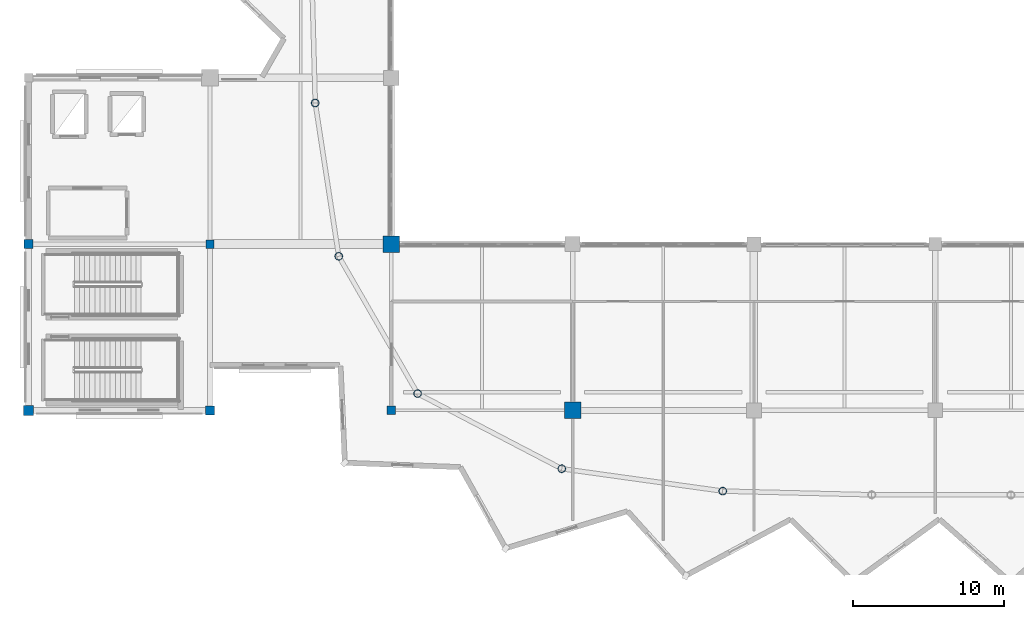
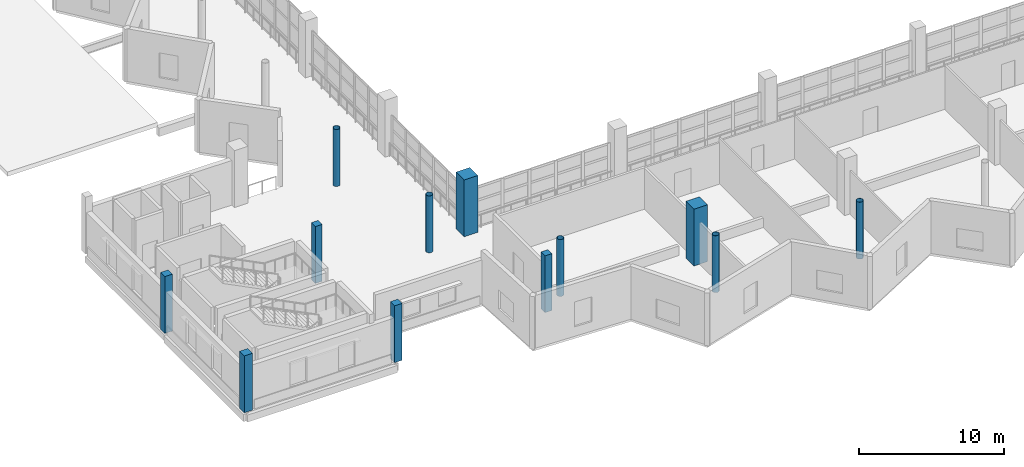
# One storey, part 1 of 53: 12 columns.
"""IFC4 building model written with IfcOpenShell, lengths in metres."""

from ifc_helpers import new_model, si_unit, direction, frame, origin, origin_2d, place, context, subcontext, project, spatial, rectangle, hollow_circle, extrude, material, material_profile, profile_set, type_object, element, save


model = new_model("IFC4")

# Units and contexts
model_context = context("Model", 3, precision=1e-05, world=origin(), true_north=direction((0.0, 1.0)))
body_context = subcontext(model_context, "Body", "Model", "MODEL_VIEW")
ifc_project = project(units=[si_unit("LENGTHUNIT", "METRE"), si_unit("AREAUNIT", "SQUARE_METRE"), si_unit("VOLUMEUNIT", "CUBIC_METRE"), si_unit("PLANEANGLEUNIT", "RADIAN"), si_unit("MASSUNIT", "GRAM", prefix="KILO")], contexts=[model_context])

# Site, building, storey
site_placement = place(None, origin())
site = spatial("IfcSite", under=ifc_project, at=site_placement, CompositionType="ELEMENT")
building_placement = place(site_placement, origin())
building = spatial("IfcBuilding", under=site, at=building_placement, Name="Luwafu Chhajja Arena", CompositionType="ELEMENT")
storey_placement = place(building_placement, frame((0.0, 0.0, 19.5)))
storey = spatial("IfcBuildingStorey", under=building, at=storey_placement, Name="L04", CompositionType="ELEMENT", Elevation=19.5)

# Columns
ifc_material_1 = material(Name="Concrete C40/50", Category="concrete")
ifc_material_profile_1 = material_profile(ifc_material_1, rectangle(XDim=1.10009765625, YDim=1.10009765625, at=origin_2d()), Name="RC 1100x1100")
ifc_profile_set_1 = profile_set([ifc_material_profile_1], Name="Concrete C40/50")
column_type_1 = type_object("IfcColumnType", Name="Bowl Rim Mega Column RC 1100", PredefinedType="COLUMN", material=ifc_profile_set_1)
for number, where, z_axis, x_axis, name in (
    (1, (58.0, 22.0, 0.0), (0.0, 0.0, 1.0), (1.0, 0.0, 0.0), "L04 Grid Column 6/C"),
    (2, (70.0, 11.0, 0.0), (0.0, 0.0, 1.0), (1.0, 0.0, 0.0), "L04 Grid Column 7/B"),
):
    element("IfcColumn", number, at=place(storey_placement, frame(where, z_axis=z_axis, x_axis=x_axis)), inside=storey, type_object=column_type_1, Name=name, PredefinedType="COLUMN", context=body_context, shape_type="SweptSolid", body=[
        extrude(rectangle(XDim=1.10009765625, YDim=1.10009765625, at=origin_2d()), origin(), (0.0, 0.0, 1.0), 4.800048828125),
    ])
ifc_material_2 = material(Name="Concrete C35/45", Category="concrete")
ifc_material_profile_2 = material_profile(ifc_material_2, rectangle(XDim=0.550048828125, YDim=0.550048828125, at=origin_2d()), Name="RC 550x550")
ifc_profile_set_2 = profile_set([ifc_material_profile_2], Name="Concrete C35/45")
column_type_2 = type_object("IfcColumnType", Name="Gallery Column RC 550", PredefinedType="COLUMN", material=ifc_profile_set_2)
for number, where, z_axis, x_axis, name in (
    (3, (46.0, 22.0, 0.0), (0.0, 0.0, 1.0), (1.0, 0.0, 0.0), "L04 Grid Column 5/C"),
    (4, (58.0, 11.0, 0.0), (0.0, 0.0, 1.0), (1.0, 0.0, 0.0), "L04 Grid Column 6/B"),
):
    element("IfcColumn", number, at=place(storey_placement, frame(where, z_axis=z_axis, x_axis=x_axis)), inside=storey, type_object=column_type_2, Name=name, PredefinedType="COLUMN", context=body_context, shape_type="SweptSolid", body=[
        extrude(rectangle(XDim=0.550048828125, YDim=0.550048828125, at=origin_2d()), origin(), (0.0, 0.0, 1.0), 4.800048828125),
    ])
ifc_material_profile_3 = material_profile(ifc_material_2, rectangle(XDim=0.60009765625, YDim=0.60009765625, at=origin_2d()), Name="RC 600x600")
ifc_profile_set_3 = profile_set([ifc_material_profile_3], Name="Concrete C35/45")
column_type_3 = type_object("IfcColumnType", Name="Mezzanine Column RC 600", PredefinedType="COLUMN", material=ifc_profile_set_3)
for number, where, z_axis, x_axis, name in (
    (5, (34.0, 22.0, 0.0), (0.0, 0.0, 1.0), (1.0, 0.0, 0.0), "L04 Grid Column 4/C"),
    (6, (46.0, 11.0, 0.0), (0.0, 0.0, 1.0), (1.0, 0.0, 0.0), "L04 Grid Column 5/B"),
):
    element("IfcColumn", number, at=place(storey_placement, frame(where, z_axis=z_axis, x_axis=x_axis)), inside=storey, type_object=column_type_3, Name=name, PredefinedType="COLUMN", context=body_context, shape_type="SweptSolid", body=[
        extrude(rectangle(XDim=0.60009765625, YDim=0.60009765625, at=origin_2d()), origin(), (0.0, 0.0, 1.0), 4.800048828125),
    ])
ifc_material_3 = material(Name="Steel S355", Category="steel")
ifc_material_profile_4 = material_profile(ifc_material_3, hollow_circle(Radius=0.25390625, WallThickness=0.02001953125, at=origin_2d()), Name="CHS 508x20")
ifc_profile_set_4 = profile_set([ifc_material_profile_4], Name="Steel S355")
column_type_4 = type_object("IfcColumnType", Name="Steel Upper Drum Column CHS 508", PredefinedType="COLUMN", material=ifc_profile_set_4)
for number, where, z_axis, x_axis, name in (
    (7, (52.968017578125, 31.3388671875, 0.0), (0.0, 0.0, 1.0), (1.0, 0.0, 0.0), "L04 Bowl Drum Column D19"),
    (8, (54.52392578125, 21.194091796875, 0.0), (0.0, 0.0, 1.0), (1.0, 0.0, 0.0), "L04 Bowl Drum Column D20"),
    (9, (59.743896484375, 12.109130859375, 0.0), (0.0, 0.0, 1.0), (1.0, 0.0, 0.0), "L04 Bowl Drum Column D21"),
    (10, (69.281982421875, 7.13720703125, 0.0), (0.0, 0.0, 1.0), (1.0, 0.0, 0.0), "L04 Bowl Drum Column D22"),
    (11, (79.932861328125, 5.6552734375, 0.0), (0.0, 0.0, 1.0), (1.0, 0.0, 0.0), "L04 Bowl Drum Column D23"),
):
    element("IfcColumn", number, at=place(storey_placement, frame(where, z_axis=z_axis, x_axis=x_axis)), inside=storey, type_object=column_type_4, Name=name, PredefinedType="COLUMN", context=body_context, shape_type="SweptSolid", body=[
        extrude(hollow_circle(Radius=0.25390625, WallThickness=0.02001953125, at=origin_2d()), origin(), (0.0, 0.0, 1.0), 4.800048828125),
    ])
ifc_material_profile_5 = material_profile(ifc_material_2, rectangle(XDim=0.64990234375, YDim=0.64990234375, at=origin_2d()), Name="RC 650x650")
ifc_profile_set_5 = profile_set([ifc_material_profile_5], Name="Concrete C35/45")
column_type_5 = type_object("IfcColumnType", Name="Upper Wing Column RC 650", PredefinedType="COLUMN", material=ifc_profile_set_5)
column_placement = place(storey_placement, frame((34.0, 11.0, 0.0), z_axis=(0.0, 0.0, 1.0), x_axis=(1.0, 0.0, 0.0)))
element("IfcColumn", 12, at=column_placement, inside=storey, type_object=column_type_5, Name="L04 Grid Column 4/B", PredefinedType="COLUMN", context=body_context, shape_type="SweptSolid", body=[
    extrude(rectangle(XDim=0.64990234375, YDim=0.64990234375, at=origin_2d()), origin(), (0.0, 0.0, 1.0), 4.800048828125),
])

save(model, "model.ifc")
